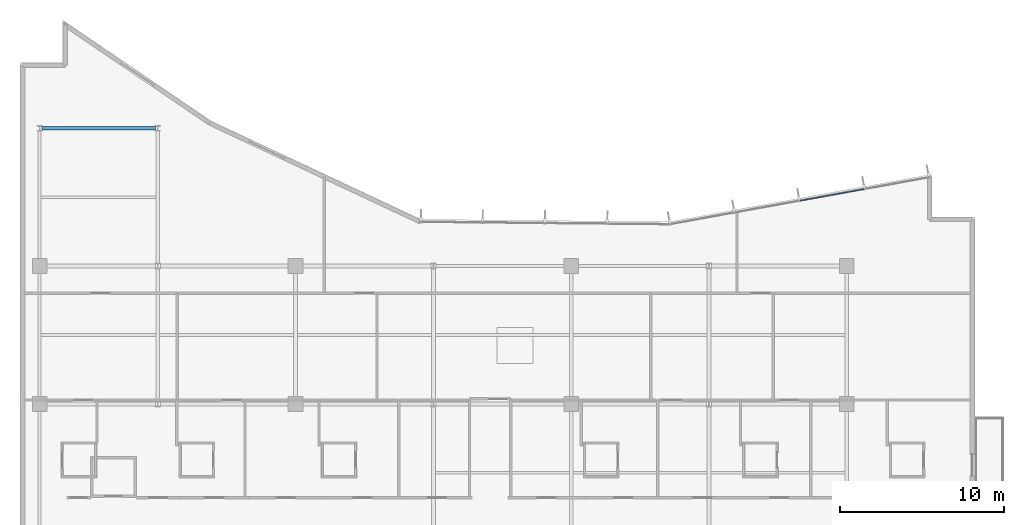
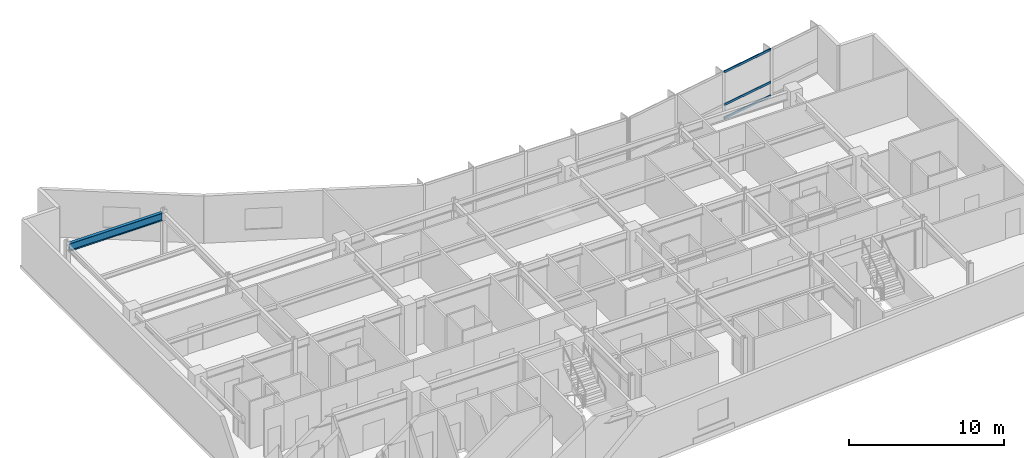
# One storey, part 7 of 19: 3 members, 1 beam, 1 element without a shape of its own.
"""IFC4 building model written with IfcOpenShell, lengths in metres."""

from ifc_helpers import new_model, si_unit, direction, frame, origin, origin_2d, place, context, subcontext, project, spatial, hollow_rectangle, i_section, extrude, material, layer, layer_set, material_profile, profile_set, type_object, element, aggregate, save


model = new_model("IFC4")

# Units and contexts
model_context = context("Model", 3, precision=1e-05, world=origin(), true_north=direction((0.0, 1.0)))
body_context = subcontext(model_context, "Body", "Model", "MODEL_VIEW")
ifc_project = project(units=[si_unit("LENGTHUNIT", "METRE"), si_unit("AREAUNIT", "SQUARE_METRE"), si_unit("VOLUMEUNIT", "CUBIC_METRE"), si_unit("PLANEANGLEUNIT", "RADIAN"), si_unit("MASSUNIT", "GRAM", prefix="KILO")], contexts=[model_context])

# Site, building, storey
site_placement = place(None, origin())
site = spatial("IfcSite", under=ifc_project, at=site_placement, CompositionType="ELEMENT")
building_placement = place(site_placement, origin())
building = spatial("IfcBuilding", under=site, at=building_placement, Name="Varnakote Quay Hospital", CompositionType="ELEMENT")
storey_placement = place(building_placement, frame((0.0, 0.0, 89.64990234375)))
storey = spatial("IfcBuildingStorey", under=building, at=storey_placement, Name="L22", CompositionType="ELEMENT", Elevation=89.64990234375)

# Beam
ifc_material_1 = material(Name="Structural steel AS/NZS 3679.1 Grade 350 L0 (fy 340 MPa)", Category="steel")
ifc_material_profile_1 = material_profile(ifc_material_1, i_section(OverallWidth=0.22900390625, OverallDepth=0.612060546875, WebThickness=0.011962890625, FlangeThickness=0.01953125, FilletRadius=0.013916015625, at=origin_2d()), Name="610UB125")
ifc_profile_set_1 = profile_set([ifc_material_profile_1], Name="Structural steel AS/NZS 3679.1 Grade 350 L0 (fy 340 MPa)")
beam_type = type_object("IfcBeamType", Name="BM-STL-610UB125", PredefinedType="BEAM", material=ifc_profile_set_1)
beam_placement = place(storey_placement, frame((1.35546875, 37.199951171875, 3.404052734375), z_axis=(1.0, 0.0, 0.0), x_axis=(0.0, 1.0, 0.0)))
element("IfcBeam", 1, at=beam_placement, inside=storey, type_object=beam_type, Name="L22 Primary Floor Beam", PredefinedType="BEAM", context=body_context, shape_type="SweptSolid", body=[
    extrude(i_section(OverallWidth=0.22900390625, OverallDepth=0.612060546875, WebThickness=0.011962890625, FlangeThickness=0.01953125, FilletRadius=0.013916015625, at=origin_2d()), origin(), (0.0, 0.0, 1.0), 6.888916015625),
])

# Curtain wall, members
ifc_material_2 = material(Name="Anodised aluminium 6063-T6 Bronze", Category="aluminium")
ifc_layer = layer(ifc_material_2, 0.18994140625)
ifc_layer_set = layer_set([ifc_layer], Name="Anodised aluminium 6063-T6 Bronze")
curtain_wall_type = type_object("IfcCurtainWallType", Name="CW-SYS-2", PredefinedType="NOTDEFINED", material=ifc_layer_set)
curtain_wall_placement = place(storey_placement, origin())
curtain_wall = element("IfcCurtainWall", 2, at=curtain_wall_placement, inside=storey, type_object=curtain_wall_type, Name="L22 Unitised Bronze Curtain Wall 1", PredefinedType="NOTDEFINED")
ifc_material_3 = material(Name="Anodised aluminium 6063-T6 Bronze", Category="aluminium")
ifc_material_profile_2 = material_profile(ifc_material_3, hollow_rectangle(XDim=0.074951171875, YDim=0.179931640625, WallThickness=0.004150390625, InnerFilletRadius=0.004150390625, OuterFilletRadius=0.00830078125, at=origin_2d()), Name="CW-TRAN-180x75")
ifc_profile_set_2 = profile_set([ifc_material_profile_2], Name="Anodised aluminium 6063-T6 Bronze")
member_type = type_object("IfcMemberType", Name="CW-TRAN-180x75", PredefinedType="USERDEFINED", material=ifc_profile_set_2)
member_1_placement = place(storey_placement, frame((51.4404296875, 33.485595703125, 0.03759765625), z_axis=(-0.984065046829, -0.177808840079, 0.0), x_axis=(0.177808840079, -0.984065046829, 0.0)))
member_1 = element("IfcMember", 3, at=member_1_placement, type_object=member_type, Name="-2-L22-1 transom 2.1", ObjectType="TRANSOM", PredefinedType="USERDEFINED", context=body_context, shape_type="SweptSolid", body=[
    extrude(hollow_rectangle(XDim=0.074951171875, YDim=0.179931640625, WallThickness=0.004150390625, InnerFilletRadius=0.004150390625, OuterFilletRadius=0.00830078125, at=origin_2d()), origin(), (0.0, 0.0, 1.0), 3.95166015625),
])
member_2_placement = place(storey_placement, frame((51.4404296875, 33.485595703125, 1.10009765625), z_axis=(-0.984065046829, -0.177808840079, 0.0), x_axis=(0.177808840079, -0.984065046829, 0.0)))
member_2 = element("IfcMember", 4, at=member_2_placement, type_object=member_type, Name="-2-L22-1 transom 2.2", ObjectType="TRANSOM", PredefinedType="USERDEFINED", context=body_context, shape_type="SweptSolid", body=[
    extrude(hollow_rectangle(XDim=0.074951171875, YDim=0.179931640625, WallThickness=0.004150390625, InnerFilletRadius=0.004150390625, OuterFilletRadius=0.00830078125, at=origin_2d()), origin(), (0.0, 0.0, 1.0), 3.95166015625),
])
member_3_placement = place(storey_placement, frame((51.4404296875, 33.485595703125, 3.672607421875), z_axis=(-0.984065046829, -0.177808840079, 0.0), x_axis=(0.177808840079, -0.984065046829, 0.0)))
member_3 = element("IfcMember", 5, at=member_3_placement, type_object=member_type, Name="-2-L22-1 transom 2.3", ObjectType="TRANSOM", PredefinedType="USERDEFINED", context=body_context, shape_type="SweptSolid", body=[
    extrude(hollow_rectangle(XDim=0.074951171875, YDim=0.179931640625, WallThickness=0.004150390625, InnerFilletRadius=0.004150390625, OuterFilletRadius=0.00830078125, at=origin_2d()), origin(), (0.0, 0.0, 1.0), 3.95166015625),
])
aggregate(curtain_wall, [member_1, member_2, member_3])

save(model, "model.ifc")
